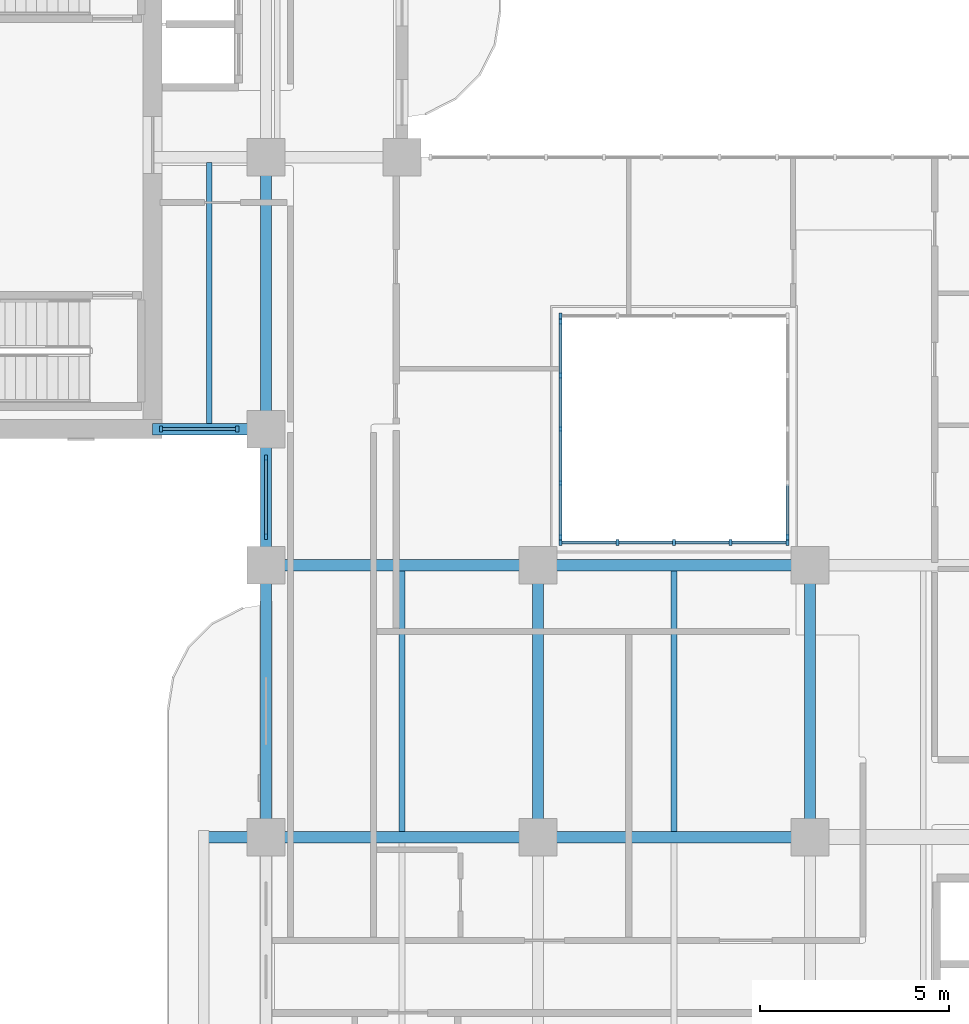
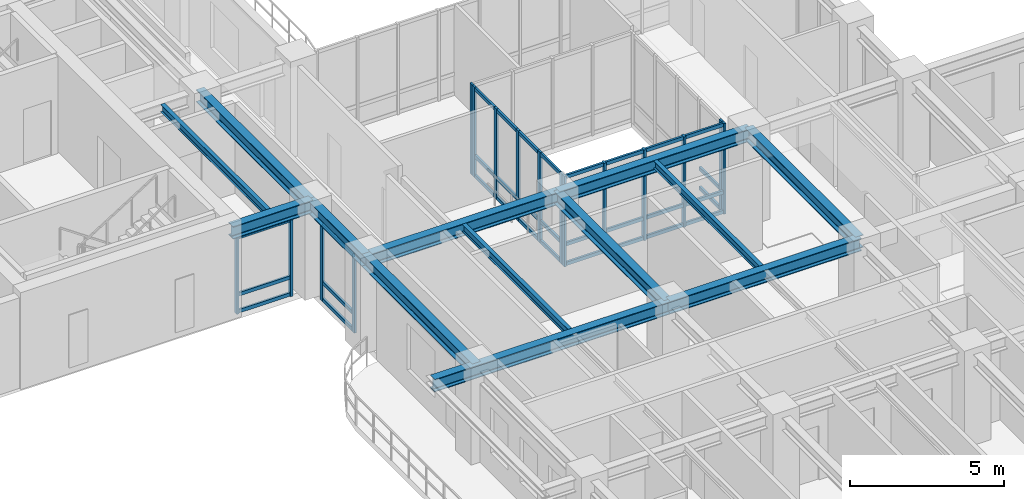
# One storey, part 2 of 20: 48 members, 13 beams, 6 elements without a shape of their own.
"""IFC4 building model written with IfcOpenShell, lengths in metres."""

from ifc_helpers import new_model, si_unit, derived_unit, direction, frame, origin, origin_2d, place, context, subcontext, project, spatial, rectangle, i_section, extrude, source, transform, mapped, material, layer, layer_set, material_profile, profile_set, type_object, type_shapes, element, aggregate, save


model = new_model("IFC4")

# Units and contexts
model_context = context("Model", 3, precision=1e-05, world=origin(), true_north=direction((0.0, 1.0)))
body_context = subcontext(model_context, "Body", "Model", "MODEL_VIEW")
ifc_project = project(units=[si_unit("LENGTHUNIT", "METRE"), si_unit("AREAUNIT", "SQUARE_METRE"), si_unit("VOLUMEUNIT", "CUBIC_METRE"), si_unit("PLANEANGLEUNIT", "RADIAN"), si_unit("MASSUNIT", "GRAM", prefix="KILO"), si_unit("THERMODYNAMICTEMPERATUREUNIT", "KELVIN"), si_unit("POWERUNIT", "WATT"), derived_unit("THERMALTRANSMITTANCEUNIT", [(si_unit("POWERUNIT", "WATT"), 1), (si_unit("AREAUNIT", "SQUARE_METRE"), -1), (si_unit("THERMODYNAMICTEMPERATUREUNIT", "KELVIN"), -1)])], contexts=[model_context])

# Site, building, storey
site_placement = place(None, origin())
site = spatial("IfcSite", under=ifc_project, at=site_placement, CompositionType="ELEMENT")
building_placement = place(site_placement, origin())
building = spatial("IfcBuilding", under=site, at=building_placement, Name="Zahravan Archway Hotel and Residences", CompositionType="ELEMENT")
storey_placement = place(building_placement, frame((0.0, 0.0, 177.25)))
storey = spatial("IfcBuildingStorey", under=building, at=storey_placement, Name="L44", CompositionType="ELEMENT", Elevation=177.25)

# Beams
ifc_material_1 = material(Name="Structural Steel S355JR", Category="steel")
ifc_material_profile_1 = material_profile(ifc_material_1, i_section(OverallWidth=0.300048828125, OverallDepth=0.5, WebThickness=0.014404296875, FlangeThickness=0.028076171875, FilletRadius=0.027099609375, at=origin_2d()), Name="HEB 500", Category="steel")
ifc_profile_set_1 = profile_set([ifc_material_profile_1], Name="Structural Steel S355JR")
beam_type_1 = type_object("IfcBeamType", Name="BM-PRI-HEB500", PredefinedType="BEAM", material=ifc_profile_set_1)
shared_shape_1 = source(origin(), body_context, "Body", "SweptSolid", [
    extrude(i_section(OverallWidth=0.300048828125, OverallDepth=0.5, WebThickness=0.014404296875, FlangeThickness=0.028076171875, FilletRadius=0.027099609375, at=origin_2d()), origin(), (0.0, 0.0, 1.0), 7.2001953125),
])
type_shapes(beam_type_1, [shared_shape_1])
for number, where, z_axis, x_axis, name in (
    (1, (14.39990234375, 21.60009765625, 3.35009765625), (1.0, 0.0, 0.0), (0.0, 1.0, 0.0), "L44 Primary Girder EW-11"),
    (2, (14.39990234375, 14.39990234375, 3.35009765625), (0.0, 1.0, 0.0), (-1.0, 0.0, 0.0), "L44 Primary Girder NS-29"),
    (3, (21.60009765625, 14.39990234375, 3.35009765625), (0.0, 1.0, 0.0), (-1.0, 0.0, 0.0), "L44 Primary Girder NS-36"),
    (4, (28.800048828125, 14.39990234375, 3.35009765625), (0.0, 1.0, 0.0), (-1.0, 0.0, 0.0), "L44 Primary Girder NS-39"),
):
    element("IfcBeam", number, at=place(storey_placement, frame(where, z_axis=z_axis, x_axis=x_axis)), inside=storey, type_object=beam_type_1, Name=name, PredefinedType="BEAM", context=body_context, shape_type="MappedRepresentation", body=[
        mapped(shared_shape_1, transform((0.0, 0.0, 0.0), scale=1.0)),
    ])
shared_shape_2 = source(origin(), body_context, "Body", "SweptSolid", [
    extrude(i_section(OverallWidth=0.300048828125, OverallDepth=0.5, WebThickness=0.014404296875, FlangeThickness=0.028076171875, FilletRadius=0.027099609375, at=origin_2d()), origin(), (0.0, 0.0, 1.0), 7.199951171875),
])
for number, where, z_axis, x_axis, name in (
    (5, (21.60009765625, 14.39990234375, 3.35009765625), (1.0, 0.0, 0.0), (0.0, 1.0, 0.0), "L44 Primary Girder EW-10"),
    (6, (21.60009765625, 21.60009765625, 3.35009765625), (1.0, 0.0, 0.0), (0.0, 1.0, 0.0), "L44 Primary Girder EW-12"),
    (7, (14.39990234375, 25.199951171875, 3.35009765625), (0.0, 1.0, 0.0), (-1.0, 0.0, 0.0), "L44 Primary Girder NS-31"),
):
    element("IfcBeam", number, at=place(storey_placement, frame(where, z_axis=z_axis, x_axis=x_axis)), inside=storey, type_object=beam_type_1, Name=name, PredefinedType="BEAM", context=body_context, shape_type="MappedRepresentation", body=[
        mapped(shared_shape_2, transform((0.0, 0.0, 0.0), scale=1.0)),
    ])
shared_shape_3 = source(origin(), body_context, "Body", "SweptSolid", [
    extrude(i_section(OverallWidth=0.300048828125, OverallDepth=0.5, WebThickness=0.014404296875, FlangeThickness=0.028076171875, FilletRadius=0.027099609375, at=origin_2d()), origin(), (0.0, 0.0, 1.0), 3.0),
])
beam_1_placement = place(storey_placement, frame((11.39990234375, 25.199951171875, 3.35009765625), z_axis=(1.0, 0.0, 0.0), x_axis=(0.0, 1.0, 0.0)))
element("IfcBeam", 8, at=beam_1_placement, inside=storey, type_object=beam_type_1, Name="L44 Primary Girder EW-16", PredefinedType="BEAM", context=body_context, shape_type="MappedRepresentation", body=[
    mapped(shared_shape_3, transform((0.0, 0.0, 0.0), scale=1.0)),
])
shared_shape_4 = source(origin(), body_context, "Body", "SweptSolid", [
    extrude(i_section(OverallWidth=0.300048828125, OverallDepth=0.5, WebThickness=0.014404296875, FlangeThickness=0.028076171875, FilletRadius=0.027099609375, at=origin_2d()), origin(), (0.0, 0.0, 1.0), 3.599853515625),
])
beam_2_placement = place(storey_placement, frame((14.39990234375, 21.60009765625, 3.35009765625), z_axis=(0.0, 1.0, 0.0), x_axis=(-1.0, 0.0, 0.0)))
element("IfcBeam", 9, at=beam_2_placement, inside=storey, type_object=beam_type_1, Name="L44 Primary Girder NS-30", PredefinedType="BEAM", context=body_context, shape_type="MappedRepresentation", body=[
    mapped(shared_shape_4, transform((0.0, 0.0, 0.0), scale=1.0)),
])
shared_shape_5 = source(origin(), body_context, "Body", "SweptSolid", [
    extrude(i_section(OverallWidth=0.300048828125, OverallDepth=0.5, WebThickness=0.014404296875, FlangeThickness=0.028076171875, FilletRadius=0.027099609375, at=origin_2d()), origin(), (0.0, 0.0, 1.0), 8.85009765625),
])
beam_3_placement = place(storey_placement, frame((12.75, 14.39990234375, 3.35009765625), z_axis=(1.0, 0.0, 0.0), x_axis=(0.0, 1.0, 0.0)))
element("IfcBeam", 10, at=beam_3_placement, inside=storey, type_object=beam_type_1, Name="L44 Primary Girder EW-09", PredefinedType="BEAM", context=body_context, shape_type="MappedRepresentation", body=[
    mapped(shared_shape_5, transform((0.0, 0.0, 0.0), scale=1.0)),
])
ifc_material_profile_2 = material_profile(ifc_material_1, i_section(OverallWidth=0.14990234375, OverallDepth=0.300048828125, WebThickness=0.007080078125, FlangeThickness=0.0107421875, FilletRadius=0.014892578125, at=origin_2d()), Name="IPE 300", Category="steel")
ifc_profile_set_2 = profile_set([ifc_material_profile_2], Name="Structural Steel S355JR")
beam_type_2 = type_object("IfcBeamType", Name="BM-JST-IPE300", PredefinedType="JOIST", material=ifc_profile_set_2)
shared_shape_6 = source(origin(), body_context, "Body", "SweptSolid", [
    extrude(i_section(OverallWidth=0.14990234375, OverallDepth=0.300048828125, WebThickness=0.007080078125, FlangeThickness=0.0107421875, FilletRadius=0.014892578125, at=origin_2d()), origin(), (0.0, 0.0, 1.0), 6.904052734375),
])
type_shapes(beam_type_2, [shared_shape_6])
beam_4_placement = place(storey_placement, frame((12.89990234375, 25.347900390625, 3.449951171875), z_axis=(0.0, 1.0, 0.0), x_axis=(-1.0, 0.0, 0.0)))
element("IfcBeam", 11, at=beam_4_placement, inside=storey, type_object=beam_type_2, Name="L44 Composite Floor Joist 10", PredefinedType="JOIST", context=body_context, shape_type="MappedRepresentation", body=[
    mapped(shared_shape_6, transform((0.0, 0.0, 0.0), scale=1.0)),
])
shared_shape_7 = source(origin(), body_context, "Body", "SweptSolid", [
    extrude(i_section(OverallWidth=0.14990234375, OverallDepth=0.300048828125, WebThickness=0.007080078125, FlangeThickness=0.0107421875, FilletRadius=0.014892578125, at=origin_2d()), origin(), (0.0, 0.0, 1.0), 6.90380859375),
])
for number, where, z_axis, x_axis, name in (
    (12, (18.0, 14.548095703125, 3.449951171875), (0.0, 1.0, 0.0), (-1.0, 0.0, 0.0), "L44 Composite Floor Joist 08"),
    (13, (25.199951171875, 14.548095703125, 3.449951171875), (0.0, 1.0, 0.0), (-1.0, 0.0, 0.0), "L44 Composite Floor Joist 09"),
):
    element("IfcBeam", number, at=place(storey_placement, frame(where, z_axis=z_axis, x_axis=x_axis)), inside=storey, type_object=beam_type_2, Name=name, PredefinedType="JOIST", context=body_context, shape_type="MappedRepresentation", body=[
        mapped(shared_shape_7, transform((0.0, 0.0, 0.0), scale=1.0)),
    ])

# Curtain wall, members
ifc_material_2 = material(Name="Bronze-Anodized Unitised Aluminium & Low-E Glass", Category="aluminium")
ifc_layer = layer(ifc_material_2, 0.179931640625, Name="Bronze-Anodized Unitised Aluminium & Low-E Glass", Category="aluminium")
ifc_layer_set = layer_set([ifc_layer], Name="Bronze-Anodized Unitised Aluminium & Low-E Glass")
curtain_wall_type = type_object("IfcCurtainWallType", Name="CW-ATR-GLAZ", PredefinedType="NOTDEFINED", material=ifc_layer_set)
curtain_wall_1_placement = place(storey_placement, origin())
curtain_wall_1 = element("IfcCurtainWall", 14, at=curtain_wall_1_placement, inside=storey, type_object=curtain_wall_type, Name="L44 Curtain Wall CW-L44-WB-SE-1", PredefinedType="NOTDEFINED")
ifc_material_3 = material(Name="Bronze-Anodized Extruded Aluminium", Category="aluminium")
ifc_material_profile_3 = material_profile(ifc_material_3, rectangle(XDim=0.080078125, YDim=0.139892578125, at=origin_2d()), Name="TRN 80x140", Category="aluminium")
ifc_profile_set_3 = profile_set([ifc_material_profile_3], Name="Bronze-Anodized Extruded Aluminium")
member_type_1 = type_object("IfcMemberType", Name="CWM-TRN-140", PredefinedType="USERDEFINED", material=ifc_profile_set_3)
shared_shape_8 = source(origin(), body_context, "Body", "SweptSolid", [
    extrude(rectangle(XDim=0.080078125, YDim=0.139892578125, at=origin_2d()), origin(), (0.0, 0.0, 1.0), 1.940185546875),
])
member_1_placement = place(storey_placement, frame((11.659912109375, 25.199951171875, 0.070068359375), z_axis=(1.0, 0.0, 0.0), x_axis=(0.0, 1.0, 0.0)))
member_1 = element("IfcMember", 15, at=member_1_placement, type_object=member_type_1, Name="CW-L44-WB-SE-1 Transom 0-1", ObjectType="TRANSOM", PredefinedType="USERDEFINED", context=body_context, shape_type="MappedRepresentation", body=[
    mapped(shared_shape_8, transform((0.0, 0.0, 0.0), scale=1.0)),
])
member_2_placement = place(storey_placement, frame((11.659912109375, 25.199951171875, 0.740478515625), z_axis=(1.0, 0.0, 0.0), x_axis=(0.0, 1.0, 0.0)))
member_2 = element("IfcMember", 16, at=member_2_placement, type_object=member_type_1, Name="CW-L44-WB-SE-1 Transom 0-2", ObjectType="TRANSOM", PredefinedType="USERDEFINED", context=body_context, shape_type="MappedRepresentation", body=[
    mapped(shared_shape_8, transform((0.0, 0.0, 0.0), scale=1.0)),
])
member_3_placement = place(storey_placement, frame((11.659912109375, 25.199951171875, 3.014892578125), z_axis=(1.0, 0.0, 0.0), x_axis=(0.0, 1.0, 0.0)))
member_3 = element("IfcMember", 17, at=member_3_placement, type_object=member_type_1, Name="CW-L44-WB-SE-1 Transom 0-3", ObjectType="TRANSOM", PredefinedType="USERDEFINED", context=body_context, shape_type="MappedRepresentation", body=[
    mapped(shared_shape_8, transform((0.0, 0.0, 0.0), scale=1.0)),
])

curtain_wall_2_placement = place(storey_placement, origin())
curtain_wall_2 = element("IfcCurtainWall", 18, at=curtain_wall_2_placement, inside=storey, type_object=curtain_wall_type, Name="L44 Curtain Wall CW-L44-WA-WLU-1", PredefinedType="NOTDEFINED")
shared_shape_9 = source(origin(), body_context, "Body", "SweptSolid", [
    extrude(rectangle(XDim=0.080078125, YDim=0.139892578125, at=origin_2d()), origin(), (0.0, 0.0, 1.0), 2.0),
])
member_4_placement = place(storey_placement, frame((14.39990234375, 22.39990234375, 0.070068359375), z_axis=(0.0, 1.0, 0.0), x_axis=(-1.0, 0.0, 0.0)))
member_4 = element("IfcMember", 19, at=member_4_placement, type_object=member_type_1, Name="CW-L44-WA-WLU-1 Transom 0-1", ObjectType="TRANSOM", PredefinedType="USERDEFINED", context=body_context, shape_type="MappedRepresentation", body=[
    mapped(shared_shape_9, transform((0.0, 0.0, 0.0), scale=1.0)),
])
member_5_placement = place(storey_placement, frame((14.39990234375, 22.39990234375, 0.740478515625), z_axis=(0.0, 1.0, 0.0), x_axis=(-1.0, 0.0, 0.0)))
member_5 = element("IfcMember", 20, at=member_5_placement, type_object=member_type_1, Name="CW-L44-WA-WLU-1 Transom 0-2", ObjectType="TRANSOM", PredefinedType="USERDEFINED", context=body_context, shape_type="MappedRepresentation", body=[
    mapped(shared_shape_9, transform((0.0, 0.0, 0.0), scale=1.0)),
])
member_6_placement = place(storey_placement, frame((14.39990234375, 22.39990234375, 3.014892578125), z_axis=(0.0, 1.0, 0.0), x_axis=(-1.0, 0.0, 0.0)))
member_6 = element("IfcMember", 21, at=member_6_placement, type_object=member_type_1, Name="CW-L44-WA-WLU-1 Transom 0-3", ObjectType="TRANSOM", PredefinedType="USERDEFINED", context=body_context, shape_type="MappedRepresentation", body=[
    mapped(shared_shape_9, transform((0.0, 0.0, 0.0), scale=1.0)),
])

curtain_wall_3_placement = place(storey_placement, origin())
curtain_wall_3 = element("IfcCurtainWall", 22, at=curtain_wall_3_placement, inside=storey, type_object=curtain_wall_type, Name="L44 Curtain Wall CW-ATR-L44-S-1", PredefinedType="NOTDEFINED")
shared_shape_10 = source(origin(), body_context, "Body", "SweptSolid", [
    extrude(rectangle(XDim=0.080078125, YDim=0.139892578125, at=origin_2d()), origin(), (0.0, 0.0, 1.0), 1.419921875),
])
member_7_placement = place(storey_placement, frame((22.239990234375, 22.199951171875, 0.070068359375), z_axis=(1.0, 0.0, 0.0), x_axis=(0.0, 1.0, 0.0)))
member_7 = element("IfcMember", 23, at=member_7_placement, type_object=member_type_1, Name="CW-ATR-L44-S-1 Transom 0-1", ObjectType="TRANSOM", PredefinedType="USERDEFINED", context=body_context, shape_type="MappedRepresentation", body=[
    mapped(shared_shape_10, transform((0.0, 0.0, 0.0), scale=1.0)),
])
member_8_placement = place(storey_placement, frame((22.239990234375, 22.199951171875, 0.85009765625), z_axis=(1.0, 0.0, 0.0), x_axis=(0.0, 1.0, 0.0)))
member_8 = element("IfcMember", 24, at=member_8_placement, type_object=member_type_1, Name="CW-ATR-L44-S-1 Transom 0-2", ObjectType="TRANSOM", PredefinedType="USERDEFINED", context=body_context, shape_type="MappedRepresentation", body=[
    mapped(shared_shape_10, transform((0.0, 0.0, 0.0), scale=1.0)),
])
member_9_placement = place(storey_placement, frame((22.239990234375, 22.199951171875, 3.530029296875), z_axis=(1.0, 0.0, 0.0), x_axis=(0.0, 1.0, 0.0)))
member_9 = element("IfcMember", 25, at=member_9_placement, type_object=member_type_1, Name="CW-ATR-L44-S-1 Transom 0-3", ObjectType="TRANSOM", PredefinedType="USERDEFINED", context=body_context, shape_type="MappedRepresentation", body=[
    mapped(shared_shape_10, transform((0.0, 0.0, 0.0), scale=1.0)),
])
member_10_placement = place(storey_placement, frame((23.739990234375, 22.199951171875, 0.070068359375), z_axis=(1.0, 0.0, 0.0), x_axis=(0.0, 1.0, 0.0)))
member_10 = element("IfcMember", 26, at=member_10_placement, type_object=member_type_1, Name="CW-ATR-L44-S-1 Transom 1-1", ObjectType="TRANSOM", PredefinedType="USERDEFINED", context=body_context, shape_type="MappedRepresentation", body=[
    mapped(shared_shape_10, transform((0.0, 0.0, 0.0), scale=1.0)),
])
member_11_placement = place(storey_placement, frame((23.739990234375, 22.199951171875, 0.85009765625), z_axis=(1.0, 0.0, 0.0), x_axis=(0.0, 1.0, 0.0)))
member_11 = element("IfcMember", 27, at=member_11_placement, type_object=member_type_1, Name="CW-ATR-L44-S-1 Transom 1-2", ObjectType="TRANSOM", PredefinedType="USERDEFINED", context=body_context, shape_type="MappedRepresentation", body=[
    mapped(shared_shape_10, transform((0.0, 0.0, 0.0), scale=1.0)),
])
member_12_placement = place(storey_placement, frame((23.739990234375, 22.199951171875, 3.530029296875), z_axis=(1.0, 0.0, 0.0), x_axis=(0.0, 1.0, 0.0)))
member_12 = element("IfcMember", 28, at=member_12_placement, type_object=member_type_1, Name="CW-ATR-L44-S-1 Transom 1-3", ObjectType="TRANSOM", PredefinedType="USERDEFINED", context=body_context, shape_type="MappedRepresentation", body=[
    mapped(shared_shape_10, transform((0.0, 0.0, 0.0), scale=1.0)),
])
member_13_placement = place(storey_placement, frame((25.239990234375, 22.199951171875, 0.070068359375), z_axis=(1.0, 0.0, 0.0), x_axis=(0.0, 1.0, 0.0)))
member_13 = element("IfcMember", 29, at=member_13_placement, type_object=member_type_1, Name="CW-ATR-L44-S-1 Transom 2-1", ObjectType="TRANSOM", PredefinedType="USERDEFINED", context=body_context, shape_type="MappedRepresentation", body=[
    mapped(shared_shape_10, transform((0.0, 0.0, 0.0), scale=1.0)),
])
member_14_placement = place(storey_placement, frame((25.239990234375, 22.199951171875, 0.85009765625), z_axis=(1.0, 0.0, 0.0), x_axis=(0.0, 1.0, 0.0)))
member_14 = element("IfcMember", 30, at=member_14_placement, type_object=member_type_1, Name="CW-ATR-L44-S-1 Transom 2-2", ObjectType="TRANSOM", PredefinedType="USERDEFINED", context=body_context, shape_type="MappedRepresentation", body=[
    mapped(shared_shape_10, transform((0.0, 0.0, 0.0), scale=1.0)),
])
member_15_placement = place(storey_placement, frame((25.239990234375, 22.199951171875, 3.530029296875), z_axis=(1.0, 0.0, 0.0), x_axis=(0.0, 1.0, 0.0)))
member_15 = element("IfcMember", 31, at=member_15_placement, type_object=member_type_1, Name="CW-ATR-L44-S-1 Transom 2-3", ObjectType="TRANSOM", PredefinedType="USERDEFINED", context=body_context, shape_type="MappedRepresentation", body=[
    mapped(shared_shape_10, transform((0.0, 0.0, 0.0), scale=1.0)),
])
member_16_placement = place(storey_placement, frame((26.739990234375, 22.199951171875, 0.070068359375), z_axis=(1.0, 0.0, 0.0), x_axis=(0.0, 1.0, 0.0)))
member_16 = element("IfcMember", 32, at=member_16_placement, type_object=member_type_1, Name="CW-ATR-L44-S-1 Transom 3-1", ObjectType="TRANSOM", PredefinedType="USERDEFINED", context=body_context, shape_type="MappedRepresentation", body=[
    mapped(shared_shape_10, transform((0.0, 0.0, 0.0), scale=1.0)),
])
member_17_placement = place(storey_placement, frame((26.739990234375, 22.199951171875, 0.85009765625), z_axis=(1.0, 0.0, 0.0), x_axis=(0.0, 1.0, 0.0)))
member_17 = element("IfcMember", 33, at=member_17_placement, type_object=member_type_1, Name="CW-ATR-L44-S-1 Transom 3-2", ObjectType="TRANSOM", PredefinedType="USERDEFINED", context=body_context, shape_type="MappedRepresentation", body=[
    mapped(shared_shape_10, transform((0.0, 0.0, 0.0), scale=1.0)),
])
member_18_placement = place(storey_placement, frame((26.739990234375, 22.199951171875, 3.530029296875), z_axis=(1.0, 0.0, 0.0), x_axis=(0.0, 1.0, 0.0)))
member_18 = element("IfcMember", 34, at=member_18_placement, type_object=member_type_1, Name="CW-ATR-L44-S-1 Transom 3-3", ObjectType="TRANSOM", PredefinedType="USERDEFINED", context=body_context, shape_type="MappedRepresentation", body=[
    mapped(shared_shape_10, transform((0.0, 0.0, 0.0), scale=1.0)),
])

curtain_wall_4_placement = place(storey_placement, origin())
curtain_wall_4 = element("IfcCurtainWall", 35, at=curtain_wall_4_placement, inside=storey, type_object=curtain_wall_type, Name="L44 Curtain Wall CW-ATR-L44-W-1", PredefinedType="NOTDEFINED")
shared_shape_11 = source(origin(), body_context, "Body", "SweptSolid", [
    extrude(rectangle(XDim=0.080078125, YDim=0.139892578125, at=origin_2d()), origin(), (0.0, 0.0, 1.0), 1.34521484375),
])
member_19_placement = place(storey_placement, frame((22.199951171875, 22.389892578125, 0.070068359375), z_axis=(0.0, 1.0, 0.0), x_axis=(-1.0, 0.0, 0.0)))
member_19 = element("IfcMember", 36, at=member_19_placement, type_object=member_type_1, Name="CW-ATR-L44-W-1 Transom 0-1", ObjectType="TRANSOM", PredefinedType="USERDEFINED", context=body_context, shape_type="MappedRepresentation", body=[
    mapped(shared_shape_11, transform((0.0, 0.0, 0.0), scale=1.0)),
])
member_20_placement = place(storey_placement, frame((22.199951171875, 22.389892578125, 0.85009765625), z_axis=(0.0, 1.0, 0.0), x_axis=(-1.0, 0.0, 0.0)))
member_20 = element("IfcMember", 37, at=member_20_placement, type_object=member_type_1, Name="CW-ATR-L44-W-1 Transom 0-2", ObjectType="TRANSOM", PredefinedType="USERDEFINED", context=body_context, shape_type="MappedRepresentation", body=[
    mapped(shared_shape_11, transform((0.0, 0.0, 0.0), scale=1.0)),
])
member_21_placement = place(storey_placement, frame((22.199951171875, 22.389892578125, 3.530029296875), z_axis=(0.0, 1.0, 0.0), x_axis=(-1.0, 0.0, 0.0)))
member_21 = element("IfcMember", 38, at=member_21_placement, type_object=member_type_1, Name="CW-ATR-L44-W-1 Transom 0-3", ObjectType="TRANSOM", PredefinedType="USERDEFINED", context=body_context, shape_type="MappedRepresentation", body=[
    mapped(shared_shape_11, transform((0.0, 0.0, 0.0), scale=1.0)),
])

curtain_wall_5_placement = place(storey_placement, origin())
curtain_wall_5 = element("IfcCurtainWall", 39, at=curtain_wall_5_placement, inside=storey, type_object=curtain_wall_type, Name="L44 Curtain Wall CW-ATR-L44-E-1", PredefinedType="NOTDEFINED")
member_22_placement = place(storey_placement, frame((28.199951171875, 22.389892578125, 0.070068359375), z_axis=(0.0, 1.0, 0.0), x_axis=(-1.0, 0.0, 0.0)))
member_22 = element("IfcMember", 40, at=member_22_placement, type_object=member_type_1, Name="CW-ATR-L44-E-1 Transom 0-1", ObjectType="TRANSOM", PredefinedType="USERDEFINED", context=body_context, shape_type="MappedRepresentation", body=[
    mapped(shared_shape_11, transform((0.0, 0.0, 0.0), scale=1.0)),
])
member_23_placement = place(storey_placement, frame((28.199951171875, 22.389892578125, 0.85009765625), z_axis=(0.0, 1.0, 0.0), x_axis=(-1.0, 0.0, 0.0)))
member_23 = element("IfcMember", 41, at=member_23_placement, type_object=member_type_1, Name="CW-ATR-L44-E-1 Transom 0-2", ObjectType="TRANSOM", PredefinedType="USERDEFINED", context=body_context, shape_type="MappedRepresentation", body=[
    mapped(shared_shape_11, transform((0.0, 0.0, 0.0), scale=1.0)),
])

# Member
shared_shape_12 = source(origin(), body_context, "Body", "SweptSolid", [
    extrude(rectangle(XDim=0.080078125, YDim=0.139892578125, at=origin_2d()), origin(), (0.0, 0.0, 1.0), 1.344970703125),
])
member_24_placement = place(storey_placement, frame((22.199951171875, 23.81494140625, 0.070068359375), z_axis=(0.0, 1.0, 0.0), x_axis=(-1.0, 0.0, 0.0)))
member_24 = element("IfcMember", 42, at=member_24_placement, type_object=member_type_1, Name="CW-ATR-L44-W-1 Transom 1-1", ObjectType="TRANSOM", PredefinedType="USERDEFINED", context=body_context, shape_type="MappedRepresentation", body=[
    mapped(shared_shape_12, transform((0.0, 0.0, 0.0), scale=1.0)),
])

member_25_placement = place(storey_placement, frame((22.199951171875, 23.81494140625, 0.85009765625), z_axis=(0.0, 1.0, 0.0), x_axis=(-1.0, 0.0, 0.0)))
member_25 = element("IfcMember", 43, at=member_25_placement, type_object=member_type_1, Name="CW-ATR-L44-W-1 Transom 1-2", ObjectType="TRANSOM", PredefinedType="USERDEFINED", context=body_context, shape_type="MappedRepresentation", body=[
    mapped(shared_shape_12, transform((0.0, 0.0, 0.0), scale=1.0)),
])

member_26_placement = place(storey_placement, frame((22.199951171875, 23.81494140625, 3.530029296875), z_axis=(0.0, 1.0, 0.0), x_axis=(-1.0, 0.0, 0.0)))
member_26 = element("IfcMember", 44, at=member_26_placement, type_object=member_type_1, Name="CW-ATR-L44-W-1 Transom 1-3", ObjectType="TRANSOM", PredefinedType="USERDEFINED", context=body_context, shape_type="MappedRepresentation", body=[
    mapped(shared_shape_12, transform((0.0, 0.0, 0.0), scale=1.0)),
])

member_27_placement = place(storey_placement, frame((22.199951171875, 25.239990234375, 0.070068359375), z_axis=(0.0, 1.0, 0.0), x_axis=(-1.0, 0.0, 0.0)))
member_27 = element("IfcMember", 45, at=member_27_placement, type_object=member_type_1, Name="CW-ATR-L44-W-1 Transom 2-1", ObjectType="TRANSOM", PredefinedType="USERDEFINED", context=body_context, shape_type="MappedRepresentation", body=[
    mapped(shared_shape_12, transform((0.0, 0.0, 0.0), scale=1.0)),
])

member_28_placement = place(storey_placement, frame((22.199951171875, 25.239990234375, 0.85009765625), z_axis=(0.0, 1.0, 0.0), x_axis=(-1.0, 0.0, 0.0)))
member_28 = element("IfcMember", 46, at=member_28_placement, type_object=member_type_1, Name="CW-ATR-L44-W-1 Transom 2-2", ObjectType="TRANSOM", PredefinedType="USERDEFINED", context=body_context, shape_type="MappedRepresentation", body=[
    mapped(shared_shape_12, transform((0.0, 0.0, 0.0), scale=1.0)),
])

member_29_placement = place(storey_placement, frame((22.199951171875, 25.239990234375, 3.530029296875), z_axis=(0.0, 1.0, 0.0), x_axis=(-1.0, 0.0, 0.0)))
member_29 = element("IfcMember", 47, at=member_29_placement, type_object=member_type_1, Name="CW-ATR-L44-W-1 Transom 2-3", ObjectType="TRANSOM", PredefinedType="USERDEFINED", context=body_context, shape_type="MappedRepresentation", body=[
    mapped(shared_shape_12, transform((0.0, 0.0, 0.0), scale=1.0)),
])

member_30_placement = place(storey_placement, frame((22.199951171875, 26.6650390625, 0.070068359375), z_axis=(0.0, 1.0, 0.0), x_axis=(-1.0, 0.0, 0.0)))
member_30 = element("IfcMember", 48, at=member_30_placement, type_object=member_type_1, Name="CW-ATR-L44-W-1 Transom 3-1", ObjectType="TRANSOM", PredefinedType="USERDEFINED", context=body_context, shape_type="MappedRepresentation", body=[
    mapped(shared_shape_12, transform((0.0, 0.0, 0.0), scale=1.0)),
])

member_31_placement = place(storey_placement, frame((22.199951171875, 26.6650390625, 0.85009765625), z_axis=(0.0, 1.0, 0.0), x_axis=(-1.0, 0.0, 0.0)))
member_31 = element("IfcMember", 49, at=member_31_placement, type_object=member_type_1, Name="CW-ATR-L44-W-1 Transom 3-2", ObjectType="TRANSOM", PredefinedType="USERDEFINED", context=body_context, shape_type="MappedRepresentation", body=[
    mapped(shared_shape_12, transform((0.0, 0.0, 0.0), scale=1.0)),
])

member_32_placement = place(storey_placement, frame((22.199951171875, 26.6650390625, 3.530029296875), z_axis=(0.0, 1.0, 0.0), x_axis=(-1.0, 0.0, 0.0)))
member_32 = element("IfcMember", 50, at=member_32_placement, type_object=member_type_1, Name="CW-ATR-L44-W-1 Transom 3-3", ObjectType="TRANSOM", PredefinedType="USERDEFINED", context=body_context, shape_type="MappedRepresentation", body=[
    mapped(shared_shape_12, transform((0.0, 0.0, 0.0), scale=1.0)),
])

ifc_material_profile_4 = material_profile(ifc_material_3, rectangle(XDim=0.080078125, YDim=0.159912109375, at=origin_2d()), Name="MUL 80x160", Category="aluminium")
ifc_profile_set_4 = profile_set([ifc_material_profile_4], Name="Bronze-Anodized Extruded Aluminium")
member_type_2 = type_object("IfcMemberType", Name="CWM-MUL-160", PredefinedType="MULLION", material=ifc_profile_set_4)
shared_shape_13 = source(origin(), body_context, "Body", "SweptSolid", [
    extrude(rectangle(XDim=0.080078125, YDim=0.159912109375, at=origin_2d()), origin(), (0.0, 0.0, 1.0), 3.0849609375),
])
member_33_placement = place(storey_placement, frame((14.39990234375, 22.360107421875, 0.0), z_axis=(0.0, 0.0, 1.0), x_axis=(1.0, 0.0, 0.0)))
member_33 = element("IfcMember", 51, at=member_33_placement, type_object=member_type_2, Name="CW-L44-WA-WLU-1 Mullion 0", PredefinedType="MULLION", context=body_context, shape_type="MappedRepresentation", body=[
    mapped(shared_shape_13, transform((0.0, 0.0, 0.0), scale=1.0)),
])

member_34_placement = place(storey_placement, frame((14.39990234375, 24.43994140625, 0.0), z_axis=(0.0, 0.0, 1.0), x_axis=(1.0, 0.0, 0.0)))
member_34 = element("IfcMember", 52, at=member_34_placement, type_object=member_type_2, Name="CW-L44-WA-WLU-1 Mullion 1", PredefinedType="MULLION", context=body_context, shape_type="MappedRepresentation", body=[
    mapped(shared_shape_13, transform((0.0, 0.0, 0.0), scale=1.0)),
])

aggregate(curtain_wall_2, [member_33, member_34, member_4, member_5, member_6])

member_35_placement = place(storey_placement, frame((11.6201171875, 25.199951171875, 0.0), z_axis=(0.0, 0.0, 1.0), x_axis=(1.0, 0.0, 0.0)))
member_35 = element("IfcMember", 53, at=member_35_placement, type_object=member_type_2, Name="CW-L44-WB-SE-1 Mullion 0", PredefinedType="MULLION", context=body_context, shape_type="MappedRepresentation", body=[
    mapped(shared_shape_13, transform((0.0, 0.0, 0.0), scale=1.0)),
])

member_36_placement = place(storey_placement, frame((13.639892578125, 25.199951171875, 0.0), z_axis=(0.0, 0.0, 1.0), x_axis=(1.0, 0.0, 0.0)))
member_36 = element("IfcMember", 54, at=member_36_placement, type_object=member_type_2, Name="CW-L44-WB-SE-1 Mullion 1", PredefinedType="MULLION", context=body_context, shape_type="MappedRepresentation", body=[
    mapped(shared_shape_13, transform((0.0, 0.0, 0.0), scale=1.0)),
])

aggregate(curtain_wall_1, [member_35, member_36, member_1, member_2, member_3])

shared_shape_14 = source(origin(), body_context, "Body", "SweptSolid", [
    extrude(rectangle(XDim=0.080078125, YDim=0.159912109375, at=origin_2d()), origin(), (0.0, 0.0, 1.0), 3.60009765625),
])
member_37_placement = place(storey_placement, frame((22.199951171875, 22.199951171875, 0.0), z_axis=(0.0, 0.0, 1.0), x_axis=(1.0, 0.0, 0.0)))
member_37 = element("IfcMember", 55, at=member_37_placement, type_object=member_type_2, Name="CW-ATR-L44-S-1 Mullion 0", PredefinedType="MULLION", context=body_context, shape_type="MappedRepresentation", body=[
    mapped(shared_shape_14, transform((0.0, 0.0, 0.0), scale=1.0)),
])

member_38_placement = place(storey_placement, frame((23.699951171875, 22.199951171875, 0.0), z_axis=(0.0, 0.0, 1.0), x_axis=(1.0, 0.0, 0.0)))
member_38 = element("IfcMember", 56, at=member_38_placement, type_object=member_type_2, Name="CW-ATR-L44-S-1 Mullion 1", PredefinedType="MULLION", context=body_context, shape_type="MappedRepresentation", body=[
    mapped(shared_shape_14, transform((0.0, 0.0, 0.0), scale=1.0)),
])

member_39_placement = place(storey_placement, frame((25.199951171875, 22.199951171875, 0.0), z_axis=(0.0, 0.0, 1.0), x_axis=(1.0, 0.0, 0.0)))
member_39 = element("IfcMember", 57, at=member_39_placement, type_object=member_type_2, Name="CW-ATR-L44-S-1 Mullion 2", PredefinedType="MULLION", context=body_context, shape_type="MappedRepresentation", body=[
    mapped(shared_shape_14, transform((0.0, 0.0, 0.0), scale=1.0)),
])

member_40_placement = place(storey_placement, frame((26.699951171875, 22.199951171875, 0.0), z_axis=(0.0, 0.0, 1.0), x_axis=(1.0, 0.0, 0.0)))
member_40 = element("IfcMember", 58, at=member_40_placement, type_object=member_type_2, Name="CW-ATR-L44-S-1 Mullion 3", PredefinedType="MULLION", context=body_context, shape_type="MappedRepresentation", body=[
    mapped(shared_shape_14, transform((0.0, 0.0, 0.0), scale=1.0)),
])

member_41_placement = place(storey_placement, frame((28.199951171875, 22.199951171875, 0.0), z_axis=(0.0, 0.0, 1.0), x_axis=(1.0, 0.0, 0.0)))
member_41 = element("IfcMember", 59, at=member_41_placement, type_object=member_type_2, Name="CW-ATR-L44-S-1 Mullion 4", PredefinedType="MULLION", context=body_context, shape_type="MappedRepresentation", body=[
    mapped(shared_shape_14, transform((0.0, 0.0, 0.0), scale=1.0)),
])

aggregate(curtain_wall_3, [member_37, member_38, member_39, member_40, member_41, member_7, member_8, member_9, member_10, member_11, member_12, member_13, member_14, member_15, member_16, member_17, member_18])

# Curtain wall, member
curtain_wall_6_placement = place(storey_placement, origin())
curtain_wall_6 = element("IfcCurtainWall", 60, at=curtain_wall_6_placement, inside=storey, type_object=curtain_wall_type, Name="L44 Curtain Wall CW-ATR-L44-N-1", PredefinedType="NOTDEFINED")
member_42_placement = place(storey_placement, frame((22.199951171875, 28.199951171875, 0.0), z_axis=(0.0, 0.0, 1.0), x_axis=(1.0, 0.0, 0.0)))
member_42 = element("IfcMember", 61, at=member_42_placement, type_object=member_type_2, Name="CW-ATR-L44-N-1 Mullion 0", PredefinedType="MULLION", context=body_context, shape_type="MappedRepresentation", body=[
    mapped(shared_shape_14, transform((0.0, 0.0, 0.0), scale=1.0)),
])
aggregate(curtain_wall_6, [member_42])

# Member
member_43_placement = place(storey_placement, frame((22.199951171875, 22.35009765625, 0.0), z_axis=(0.0, 0.0, 1.0), x_axis=(1.0, 0.0, 0.0)))
member_43 = element("IfcMember", 62, at=member_43_placement, type_object=member_type_2, Name="CW-ATR-L44-W-1 Mullion 0", PredefinedType="MULLION", context=body_context, shape_type="MappedRepresentation", body=[
    mapped(shared_shape_14, transform((0.0, 0.0, 0.0), scale=1.0)),
])

member_44_placement = place(storey_placement, frame((22.199951171875, 23.77490234375, 0.0), z_axis=(0.0, 0.0, 1.0), x_axis=(1.0, 0.0, 0.0)))
member_44 = element("IfcMember", 63, at=member_44_placement, type_object=member_type_2, Name="CW-ATR-L44-W-1 Mullion 1", PredefinedType="MULLION", context=body_context, shape_type="MappedRepresentation", body=[
    mapped(shared_shape_14, transform((0.0, 0.0, 0.0), scale=1.0)),
])

member_45_placement = place(storey_placement, frame((22.199951171875, 25.199951171875, 0.0), z_axis=(0.0, 0.0, 1.0), x_axis=(1.0, 0.0, 0.0)))
member_45 = element("IfcMember", 64, at=member_45_placement, type_object=member_type_2, Name="CW-ATR-L44-W-1 Mullion 2", PredefinedType="MULLION", context=body_context, shape_type="MappedRepresentation", body=[
    mapped(shared_shape_14, transform((0.0, 0.0, 0.0), scale=1.0)),
])

member_46_placement = place(storey_placement, frame((22.199951171875, 26.625, 0.0), z_axis=(0.0, 0.0, 1.0), x_axis=(1.0, 0.0, 0.0)))
member_46 = element("IfcMember", 65, at=member_46_placement, type_object=member_type_2, Name="CW-ATR-L44-W-1 Mullion 3", PredefinedType="MULLION", context=body_context, shape_type="MappedRepresentation", body=[
    mapped(shared_shape_14, transform((0.0, 0.0, 0.0), scale=1.0)),
])

member_47_placement = place(storey_placement, frame((22.199951171875, 28.050048828125, 0.0), z_axis=(0.0, 0.0, 1.0), x_axis=(1.0, 0.0, 0.0)))
member_47 = element("IfcMember", 66, at=member_47_placement, type_object=member_type_2, Name="CW-ATR-L44-W-1 Mullion 4", PredefinedType="MULLION", context=body_context, shape_type="MappedRepresentation", body=[
    mapped(shared_shape_14, transform((0.0, 0.0, 0.0), scale=1.0)),
])

aggregate(curtain_wall_4, [member_43, member_44, member_45, member_46, member_47, member_19, member_20, member_21, member_24, member_25, member_26, member_27, member_28, member_29, member_30, member_31, member_32])

member_48_placement = place(storey_placement, frame((28.199951171875, 22.35009765625, 0.0), z_axis=(0.0, 0.0, 1.0), x_axis=(1.0, 0.0, 0.0)))
member_48 = element("IfcMember", 67, at=member_48_placement, type_object=member_type_2, Name="CW-ATR-L44-E-1 Mullion 0", PredefinedType="MULLION", context=body_context, shape_type="MappedRepresentation", body=[
    mapped(shared_shape_14, transform((0.0, 0.0, 0.0), scale=1.0)),
])

aggregate(curtain_wall_5, [member_48, member_22, member_23])

save(model, "model.ifc")
